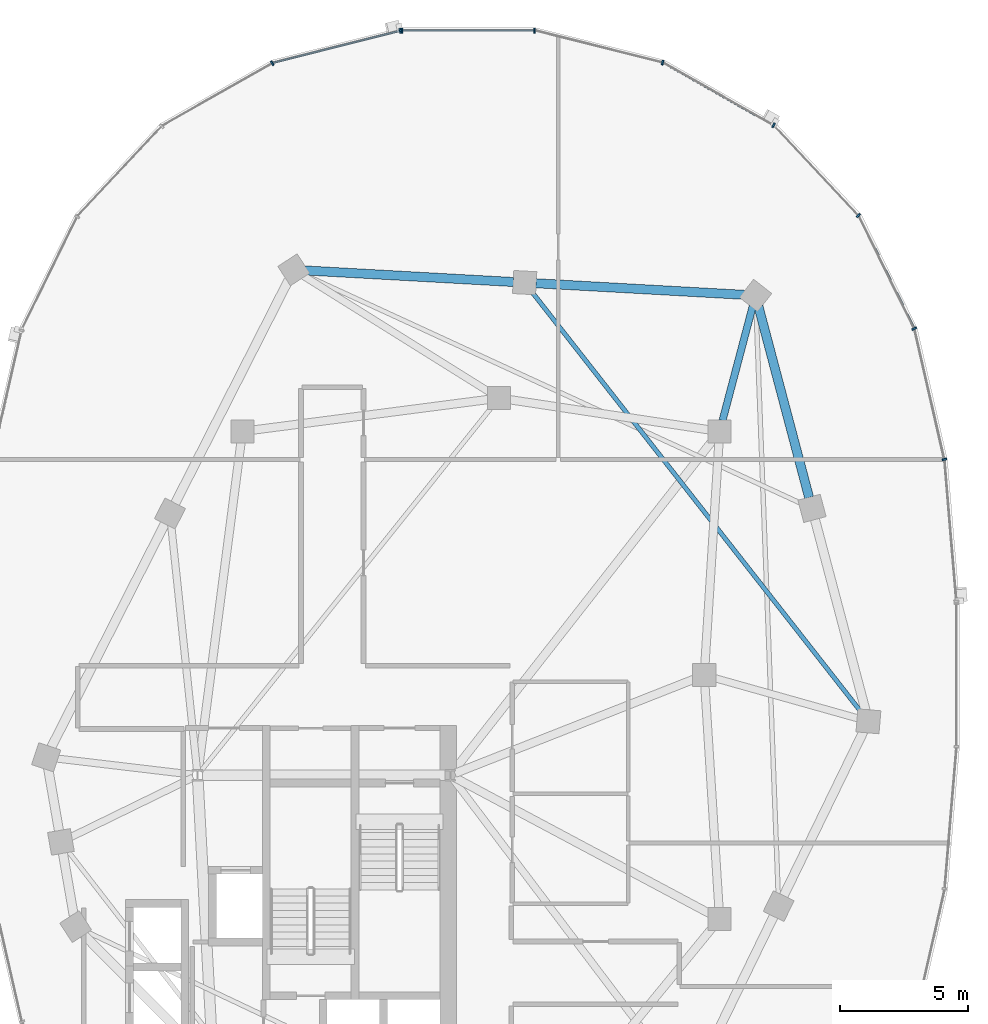
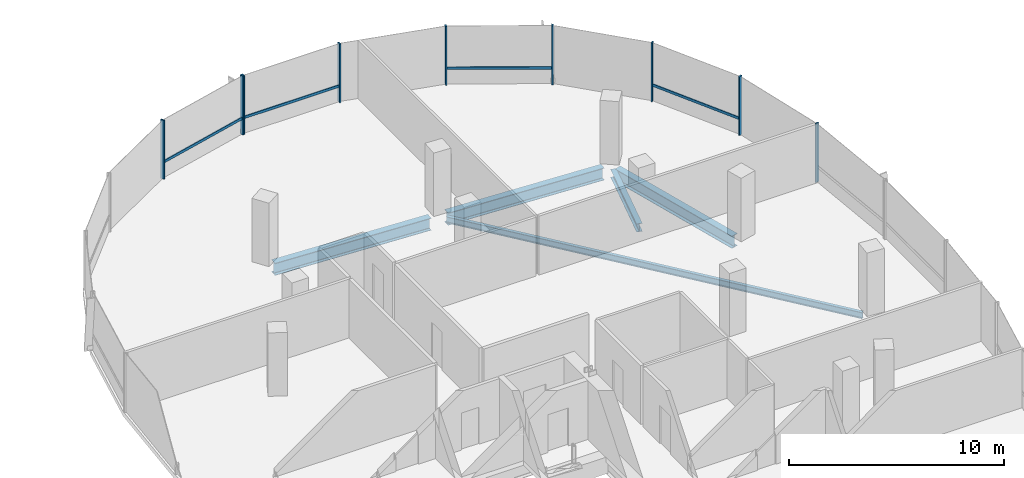
# One storey, part 12 of 25: 13 members, 5 beams, 2 elements without a shape of their own.
"""IFC4 building model written with IfcOpenShell, lengths in metres."""

from ifc_helpers import new_model, si_unit, direction, frame, origin, origin_2d, place, context, subcontext, project, spatial, rectangle, i_section, extrude, material, material_profile, profile_set, type_object, element, aggregate, save


model = new_model("IFC4")

# Units and contexts
model_context = context("Model", 3, precision=1e-05, world=origin(), true_north=direction((0.0, 1.0)))
body_context = subcontext(model_context, "Body", "Model", "MODEL_VIEW")
ifc_project = project(units=[si_unit("LENGTHUNIT", "METRE"), si_unit("AREAUNIT", "SQUARE_METRE"), si_unit("VOLUMEUNIT", "CUBIC_METRE"), si_unit("PLANEANGLEUNIT", "RADIAN"), si_unit("MASSUNIT", "GRAM", prefix="KILO"), si_unit("THERMODYNAMICTEMPERATUREUNIT", "KELVIN"), si_unit("POWERUNIT", "WATT")], contexts=[model_context])

# Site, building, storey
site_placement = place(None, origin())
site = spatial("IfcSite", under=ifc_project, at=site_placement, CompositionType="ELEMENT")
building_placement = place(site_placement, origin())
building = spatial("IfcBuilding", under=site, at=building_placement, Name="Cundina Bronze Exchange", CompositionType="ELEMENT")
storey_placement = place(building_placement, frame((0.0, 0.0, 202.60009765625)))
storey = spatial("IfcBuildingStorey", under=building, at=storey_placement, Name="L53", CompositionType="ELEMENT", Elevation=202.60009765625)

# Beams
ifc_material_1 = material(Name="Steel ASTM A992 Grade 50", Category="steel")
ifc_material_profile_1 = material_profile(ifc_material_1, i_section(OverallWidth=0.280029296875, OverallDepth=0.462890625, WebThickness=0.0107421875, FlangeThickness=0.017333984375, FilletRadius=0.011962890625, at=origin_2d()), Name="W18X76", Category="steel")
ifc_profile_set_1 = profile_set([ifc_material_profile_1], Name="Steel ASTM A992 Grade 50")
beam_type_1 = type_object("IfcBeamType", Name="BM-FLR-W18A", PredefinedType="BEAM", material=ifc_profile_set_1)
beam_1_placement = place(storey_placement, frame((41.911865234375, 9.923583984375, -0.49169921875), z_axis=(0.255398602339, 0.96683584642, 0.0), x_axis=(-0.96683584642, 0.255398602339, 0.0)))
element("IfcBeam", 1, at=beam_1_placement, inside=storey, type_object=beam_type_1, Name="L53 Leg E Chordal Floor Beam 10", PredefinedType="BEAM", context=body_context, shape_type="SweptSolid", body=[
    extrude(i_section(OverallWidth=0.280029296875, OverallDepth=0.462890625, WebThickness=0.0107421875, FlangeThickness=0.017333984375, FilletRadius=0.011962890625, at=origin_2d()), origin(), (0.0, 0.0, 1.0), 4.605712890625),
])
ifc_material_profile_2 = material_profile(ifc_material_1, i_section(OverallWidth=0.172119140625, OverallDepth=0.35791015625, WebThickness=0.0078125, FlangeThickness=0.01318359375, FilletRadius=0.010009765625, at=origin_2d()), Name="W14X38", Category="steel")
ifc_profile_set_2 = profile_set([ifc_material_profile_2], Name="Steel ASTM A992 Grade 50")
beam_type_2 = type_object("IfcBeamType", Name="BM-JST-W14", PredefinedType="JOIST", material=ifc_profile_set_2)
beam_2_placement = place(storey_placement, frame((47.329833984375, -1.455078125, -0.439208984375), z_axis=(-0.616810493522, 0.787111691618, 0.0), x_axis=(-0.787111691618, -0.616810493522, 0.0)))
element("IfcBeam", 2, at=beam_2_placement, inside=storey, type_object=beam_type_2, Name="L53 Leg E Lobe Floor Joist 08-11", PredefinedType="JOIST", context=body_context, shape_type="SweptSolid", body=[
    extrude(i_section(OverallWidth=0.172119140625, OverallDepth=0.35791015625, WebThickness=0.0078125, FlangeThickness=0.01318359375, FilletRadius=0.010009765625, at=origin_2d()), origin(), (0.0, 0.0, 1.0), 20.8486328125),
])
ifc_material_profile_3 = material_profile(ifc_material_1, i_section(OverallWidth=0.35498046875, OverallDepth=0.695068359375, WebThickness=0.015380859375, FlangeThickness=0.02490234375, FilletRadius=0.01806640625, at=origin_2d()), Name="W27X146", Category="steel")
ifc_profile_set_3 = profile_set([ifc_material_profile_3], Name="Steel ASTM A992 Grade 50")
beam_type_3 = type_object("IfcBeamType", Name="BM-RING-W27", PredefinedType="USERDEFINED", material=ifc_profile_set_3)
beam_3_placement = place(storey_placement, frame((45.287841796875, 6.92333984375, -0.607666015625), z_axis=(-0.256211934474, 0.966620631185, 0.0), x_axis=(-0.966620631185, -0.256211934474, 0.0)))
element("IfcBeam", 3, at=beam_3_placement, inside=storey, type_object=beam_type_3, Name="L53 E Perimeter Ring Girder 09", ObjectType="GIRDER", PredefinedType="USERDEFINED", context=body_context, shape_type="SweptSolid", body=[
    extrude(i_section(OverallWidth=0.35498046875, OverallDepth=0.695068359375, WebThickness=0.015380859375, FlangeThickness=0.02490234375, FilletRadius=0.01806640625, at=origin_2d()), origin(), (0.0, 0.0, 1.0), 7.710693359375),
])
for number, where, z_axis, x_axis, name in (
    (4, (42.7626953125, 14.82421875, -0.607666015625), (-0.998460353205, 0.055470019623, 0.0), (-0.055470019623, -0.998460353205, 0.0), "L53 E Perimeter Ring Girder 10"),
    (5, (33.7626953125, 15.32421875, -0.607666015625), (-0.998460353205, 0.055470019623, 0.0), (-0.055470019623, -0.998460353205, 0.0), "L53 E Perimeter Ring Girder 11"),
):
    element("IfcBeam", number, at=place(storey_placement, frame(where, z_axis=z_axis, x_axis=x_axis)), inside=storey, type_object=beam_type_3, Name=name, ObjectType="GIRDER", PredefinedType="USERDEFINED", context=body_context, shape_type="SweptSolid", body=[
        extrude(i_section(OverallWidth=0.35498046875, OverallDepth=0.695068359375, WebThickness=0.015380859375, FlangeThickness=0.02490234375, FilletRadius=0.01806640625, at=origin_2d()), origin(), (0.0, 0.0, 1.0), 8.137939453125),
    ])

# Curtain wall, members
ifc_material_2 = material(Name="Anodised Bronze Aluminium 6063-T6", Category="aluminium")
curtain_wall_type = type_object("IfcCurtainWallType", Name="CWS-UPP-OFF", PredefinedType="NOTDEFINED", material=ifc_material_2)
curtain_wall_1_placement = place(storey_placement, origin())
curtain_wall_1 = element("IfcCurtainWall", 6, at=curtain_wall_1_placement, inside=storey, type_object=curtain_wall_type, Name="L53 CW-05 Curtain Wall Run CWR-L53-E1", PredefinedType="NOTDEFINED")
ifc_material_profile_4 = material_profile(ifc_material_2, rectangle(XDim=0.070068359375, YDim=0.18994140625, at=origin_2d()), Name="AL70X190", Category="aluminium")
ifc_profile_set_4 = profile_set([ifc_material_profile_4], Name="Anodised Bronze Aluminium 6063-T6")
member_type_1 = type_object("IfcMemberType", Name="CWM-MUL-190", PredefinedType="MULLION", material=ifc_profile_set_4)
member_1_placement = place(storey_placement, frame((50.56005859375, 8.4111328125, 0.0), z_axis=(0.0, 0.0, 1.0), x_axis=(-0.223250116011, 0.974761194191, 0.0)))
member_1 = element("IfcMember", 7, at=member_1_placement, type_object=member_type_1, Name="CW-05 Mullion 2", PredefinedType="MULLION", context=body_context, shape_type="SweptSolid", body=[
    extrude(rectangle(XDim=0.070068359375, YDim=0.18994140625, at=origin_2d()), origin(), (0.0, 0.0, 1.0), 3.33984375),
])
member_2_placement = place(storey_placement, frame((49.38427734375, 13.50732421875, 0.0), z_axis=(0.0, 0.0, 1.0), x_axis=(-0.440566004113, 0.897720221461, 0.0)))
member_2 = element("IfcMember", 8, at=member_2_placement, type_object=member_type_1, Name="CW-05 Mullion 3", PredefinedType="MULLION", context=body_context, shape_type="SweptSolid", body=[
    extrude(rectangle(XDim=0.070068359375, YDim=0.18994140625, at=origin_2d()), origin(), (0.0, 0.0, 1.0), 3.33984375),
])
member_3_placement = place(storey_placement, frame((47.209716796875, 17.91796875, 0.0), z_axis=(0.0, 0.0, 1.0), x_axis=(-0.684292606175, 0.729207535023, 0.0)))
member_3 = element("IfcMember", 9, at=member_3_placement, type_object=member_type_1, Name="CW-05 Mullion 4", PredefinedType="MULLION", context=body_context, shape_type="SweptSolid", body=[
    extrude(rectangle(XDim=0.070068359375, YDim=0.18994140625, at=origin_2d()), origin(), (0.0, 0.0, 1.0), 3.33984375),
])
member_4_placement = place(storey_placement, frame((43.899658203125, 21.43115234375, 0.0), z_axis=(0.0, 0.0, 1.0), x_axis=(-0.86958112538, 0.493790103568, 0.0)))
member_4 = element("IfcMember", 10, at=member_4_placement, type_object=member_type_1, Name="CW-05 Mullion 5", PredefinedType="MULLION", context=body_context, shape_type="SweptSolid", body=[
    extrude(rectangle(XDim=0.070068359375, YDim=0.18994140625, at=origin_2d()), origin(), (0.0, 0.0, 1.0), 3.33984375),
])
member_5_placement = place(storey_placement, frame((39.577392578125, 23.87548828125, 0.0), z_axis=(0.0, 0.0, 1.0), x_axis=(-0.969744325821, 0.244122802168, 0.0)))
member_5 = element("IfcMember", 11, at=member_5_placement, type_object=member_type_1, Name="CW-05 Mullion 6", PredefinedType="MULLION", context=body_context, shape_type="SweptSolid", body=[
    extrude(rectangle(XDim=0.070068359375, YDim=0.18994140625, at=origin_2d()), origin(), (0.0, 0.0, 1.0), 3.33984375),
])
member_6_placement = place(storey_placement, frame((34.580078125, 25.125, 0.0), z_axis=(0.0, 0.0, 1.0), x_axis=(-1.0, 0.0, 0.0)))
member_6 = element("IfcMember", 12, at=member_6_placement, type_object=member_type_1, Name="CW-05 Mullion 7", PredefinedType="MULLION", context=body_context, shape_type="SweptSolid", body=[
    extrude(rectangle(XDim=0.070068359375, YDim=0.18994140625, at=origin_2d()), origin(), (0.0, 0.0, 1.0), 3.33984375),
])
member_7_placement = place(storey_placement, frame((29.419921875, 25.125, 0.0), z_axis=(0.0, 0.0, 1.0), x_axis=(-1.0, 0.0, 0.0)))
member_7 = element("IfcMember", 13, at=member_7_placement, type_object=member_type_1, Name="CW-05 End Mullion", PredefinedType="MULLION", context=body_context, shape_type="SweptSolid", body=[
    extrude(rectangle(XDim=0.070068359375, YDim=0.18994140625, at=origin_2d()), origin(), (0.0, 0.0, 1.0), 3.33984375),
])

curtain_wall_2_placement = place(storey_placement, origin())
curtain_wall_2 = element("IfcCurtainWall", 14, at=curtain_wall_2_placement, inside=storey, type_object=curtain_wall_type, Name="L53 CW-05 Curtain Wall Run CWR-L53-E2", PredefinedType="NOTDEFINED")
member_8_placement = place(storey_placement, frame((29.3515625, 25.116455078125, 0.0), z_axis=(0.0, 0.0, 1.0), x_axis=(-0.969744325821, -0.244122802168, 0.0)))
member_8 = element("IfcMember", 15, at=member_8_placement, type_object=member_type_1, Name="CW-05 Mullion 1", PredefinedType="MULLION", context=body_context, shape_type="SweptSolid", body=[
    extrude(rectangle(XDim=0.070068359375, YDim=0.18994140625, at=origin_2d()), origin(), (0.0, 0.0, 1.0), 3.33984375),
])
member_9_placement = place(storey_placement, frame((24.361083984375, 23.850830078125, 0.0), z_axis=(0.0, 0.0, 1.0), x_axis=(-0.86958112538, -0.493790103568, 0.0)))
member_9 = element("IfcMember", 16, at=member_9_placement, type_object=member_type_1, Name="CW-05 Mullion 2", PredefinedType="MULLION", context=body_context, shape_type="SweptSolid", body=[
    extrude(rectangle(XDim=0.070068359375, YDim=0.18994140625, at=origin_2d()), origin(), (0.0, 0.0, 1.0), 3.33984375),
])

# Member
ifc_material_profile_5 = material_profile(ifc_material_2, rectangle(XDim=0.06494140625, YDim=0.14990234375, at=origin_2d()), Name="AL65X150", Category="aluminium")
ifc_profile_set_5 = profile_set([ifc_material_profile_5], Name="Anodised Bronze Aluminium 6063-T6")
member_type_2 = type_object("IfcMemberType", Name="CWM-TRN-150", PredefinedType="USERDEFINED", material=ifc_profile_set_5)
member_10_placement = place(storey_placement, frame((49.3671875, 13.5419921875, 0.919921875), z_axis=(-0.440483110889, 0.897760897467, 0.0), x_axis=(-0.897760897467, -0.440483110889, 0.0)))
member_10 = element("IfcMember", 17, at=member_10_placement, type_object=member_type_2, Name="CW-05 Spandrel Transom 3", ObjectType="TRANSOM", PredefinedType="USERDEFINED", context=body_context, shape_type="SweptSolid", body=[
    extrude(rectangle(XDim=0.06494140625, YDim=0.14990234375, at=origin_2d()), origin(), (0.0, 0.0, 1.0), 4.855224609375),
])

member_11_placement = place(storey_placement, frame((43.8662109375, 21.4501953125, 0.919921875), z_axis=(-0.869573748083, 0.493803095013, 0.0), x_axis=(-0.493803095013, -0.869573748083, 0.0)))
member_11 = element("IfcMember", 18, at=member_11_placement, type_object=member_type_2, Name="CW-05 Spandrel Transom 5", ObjectType="TRANSOM", PredefinedType="USERDEFINED", context=body_context, shape_type="SweptSolid", body=[
    extrude(rectangle(XDim=0.06494140625, YDim=0.14990234375, at=origin_2d()), origin(), (0.0, 0.0, 1.0), 4.900146484375),
])

member_12_placement = place(storey_placement, frame((34.54150390625, 25.125, 0.919921875), z_axis=(-1.0, 0.0, 0.0), x_axis=(0.0, -1.0, 0.0)))
member_12 = element("IfcMember", 19, at=member_12_placement, type_object=member_type_2, Name="CW-05 Spandrel Transom 7", ObjectType="TRANSOM", PredefinedType="USERDEFINED", context=body_context, shape_type="SweptSolid", body=[
    extrude(rectangle(XDim=0.06494140625, YDim=0.14990234375, at=origin_2d()), origin(), (0.0, 0.0, 1.0), 5.0830078125),
])

aggregate(curtain_wall_1, [member_1, member_2, member_10, member_3, member_4, member_11, member_5, member_6, member_7, member_12])

member_13_placement = place(storey_placement, frame((29.314208984375, 25.107177734375, 0.919921875), z_axis=(-0.969725738797, -0.244196624699, 0.0), x_axis=(0.244196624699, -0.969725738797, 0.0)))
member_13 = element("IfcMember", 20, at=member_13_placement, type_object=member_type_2, Name="CW-05 Spandrel Transom 1", ObjectType="TRANSOM", PredefinedType="USERDEFINED", context=body_context, shape_type="SweptSolid", body=[
    extrude(rectangle(XDim=0.06494140625, YDim=0.14990234375, at=origin_2d()), origin(), (0.0, 0.0, 1.0), 5.082763671875),
])

aggregate(curtain_wall_2, [member_8, member_13, member_9])

save(model, "model.ifc")
